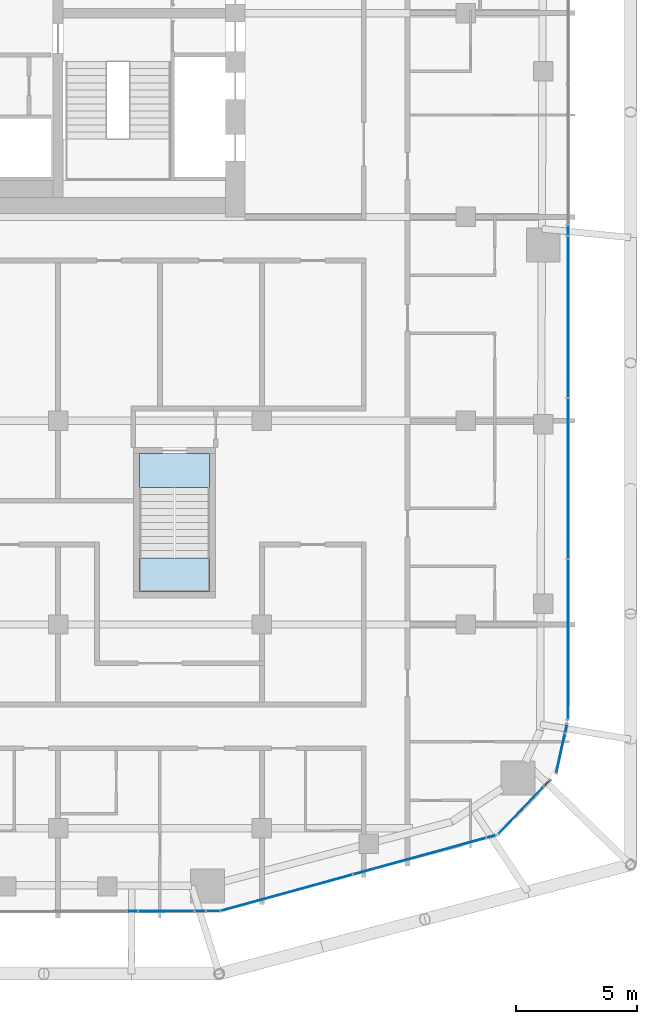
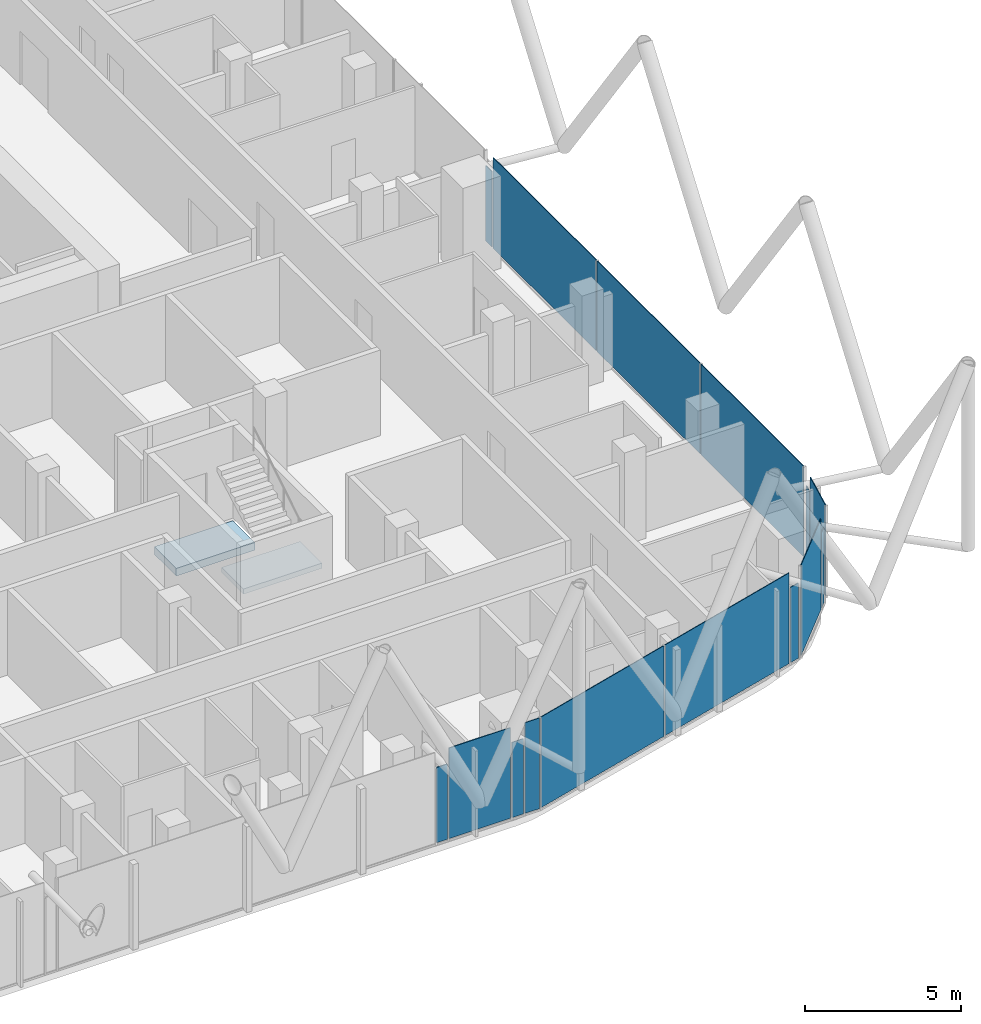
# One storey, part 18 of 31: 15 plates, 2 slabs, 13 elements without a shape of their own.
"""IFC4 building model written with IfcOpenShell, lengths in metres."""

from ifc_helpers import new_model, si_unit, direction, frame, origin, origin_2d, place, context, subcontext, project, spatial, polyline, rectangle, outline, extrude, material, layer, layer_set, type_object, element, aggregate, save


model = new_model("IFC4")

# Units and contexts
model_context = context("Model", 3, precision=1e-05, world=origin(), true_north=direction((0.0, 1.0)))
body_context = subcontext(model_context, "Body", "Model", "MODEL_VIEW")
ifc_project = project(units=[si_unit("LENGTHUNIT", "METRE"), si_unit("AREAUNIT", "SQUARE_METRE"), si_unit("VOLUMEUNIT", "CUBIC_METRE"), si_unit("PLANEANGLEUNIT", "RADIAN"), si_unit("MASSUNIT", "GRAM", prefix="KILO")], contexts=[model_context])

# Site, building, storey
site_placement = place(None, origin())
site = spatial("IfcSite", under=ifc_project, at=site_placement, CompositionType="ELEMENT")
building_placement = place(site_placement, origin())
building = spatial("IfcBuilding", under=site, at=building_placement, Name="Marenta Gate Hotel Tower", CompositionType="ELEMENT")
storey_placement = place(building_placement, frame((0.0, 0.0, 234.5)))
storey = spatial("IfcBuildingStorey", under=building, at=storey_placement, Name="L55", CompositionType="ELEMENT", Elevation=234.5)

# Curtain wall, plate
ifc_material_1 = material(Name="Tinted insulated glass in bronze anodised frame", Category="glass")
ifc_layer_1 = layer(ifc_material_1, 0.1201171875)
ifc_layer_set_1 = layer_set([ifc_layer_1], Name="Tinted insulated glass in bronze anodised frame")
curtain_wall_type = type_object("IfcCurtainWallType", Name="Tower unitised curtain wall CW1", PredefinedType="NOTDEFINED", material=ifc_layer_set_1)
curtain_wall_1_placement = place(storey_placement, origin())
curtain_wall_1 = element("IfcCurtainWall", 1, at=curtain_wall_1_placement, inside=storey, type_object=curtain_wall_type, Name="CW1 run G22", PredefinedType="NOTDEFINED")
ifc_material_2 = material(Name="Tinted insulated glass", Category="glass")
ifc_layer_2 = layer(ifc_material_2, 0.028076171875)
ifc_layer_set_2 = layer_set([ifc_layer_2], Name="Tinted insulated glass")
plate_type = type_object("IfcPlateType", Name="Glass panel CW1 28 mm tinted insulated unit", PredefinedType="CURTAIN_PANEL", material=ifc_layer_set_2)
plate_1_placement = place(storey_placement, frame((7.265869140625, -28.618408203125, 0.06005859375), z_axis=(0.0, 0.0, 1.0), x_axis=(0.999998441306, 0.001765611905, 0.0)))
plate_1 = element("IfcPlate", 2, at=plate_1_placement, type_object=plate_type, Name="CW1 panel 1.1", PredefinedType="CURTAIN_PANEL", context=body_context, shape_type="SweptSolid", body=[
    extrude(rectangle(XDim=0.39306640625, YDim=0.028076171875, at=origin_2d()), origin(), (0.0, 0.0, 1.0), 2.9404296875),
])
aggregate(curtain_wall_1, [plate_1])

curtain_wall_2_placement = place(storey_placement, origin())
curtain_wall_2 = element("IfcCurtainWall", 3, at=curtain_wall_2_placement, inside=storey, type_object=curtain_wall_type, Name="CW1 run G23", PredefinedType="NOTDEFINED")
plate_2_placement = place(storey_placement, frame((8.65869140625, -28.6162109375, 0.06005859375), z_axis=(0.0, 0.0, 1.0), x_axis=(0.999998672819, 0.001629220957, 0.0)))
plate_2 = element("IfcPlate", 4, at=plate_2_placement, type_object=plate_type, Name="CW1 panel 1.1", PredefinedType="CURTAIN_PANEL", context=body_context, shape_type="SweptSolid", body=[
    extrude(rectangle(XDim=2.2724609375, YDim=0.028076171875, at=origin_2d()), origin(), (0.0, 0.0, 1.0), 3.5400390625),
])
aggregate(curtain_wall_2, [plate_2])

curtain_wall_3_placement = place(storey_placement, origin())
curtain_wall_3 = element("IfcCurtainWall", 5, at=curtain_wall_3_placement, inside=storey, type_object=curtain_wall_type, Name="CW1 run G24", PredefinedType="NOTDEFINED")
plate_3_placement = place(storey_placement, frame((10.06201171875, -28.614013671875, 0.06005859375), z_axis=(0.0, 0.0, 1.0), x_axis=(0.999998577531, 0.001686693784, 0.0)))
plate_3 = element("IfcPlate", 6, at=plate_3_placement, type_object=plate_type, Name="CW1 panel 1.1", PredefinedType="CURTAIN_PANEL", context=body_context, shape_type="SweptSolid", body=[
    extrude(rectangle(XDim=0.414306640625, YDim=0.028076171875, at=origin_2d()), origin(), (0.0, 0.0, 1.0), 2.9404296875),
])
aggregate(curtain_wall_3, [plate_3])

curtain_wall_4_placement = place(storey_placement, origin())
curtain_wall_4 = element("IfcCurtainWall", 7, at=curtain_wall_4_placement, inside=storey, type_object=curtain_wall_type, Name="CW1 run G25", PredefinedType="NOTDEFINED")
plate_4_placement = place(storey_placement, frame((10.601318359375, -28.613037109375, 0.06005859375), z_axis=(0.0, 0.0, 1.0), x_axis=(0.999998631715, 0.001654257461, 0.0)))
plate_4 = element("IfcPlate", 8, at=plate_4_placement, type_object=plate_type, Name="CW1 panel 1.1", PredefinedType="CURTAIN_PANEL", context=body_context, shape_type="SweptSolid", body=[
    extrude(rectangle(XDim=0.54443359375, YDim=0.028076171875, at=origin_2d()), origin(), (0.0, 0.0, 1.0), 3.5400390625),
])
aggregate(curtain_wall_4, [plate_4])

# Curtain wall, plates
curtain_wall_5_placement = place(storey_placement, origin())
curtain_wall_5 = element("IfcCurtainWall", 9, at=curtain_wall_5_placement, inside=storey, type_object=curtain_wall_type, Name="CW1 run G26", PredefinedType="NOTDEFINED")
plate_5_placement = place(storey_placement, frame((13.624755859375, -27.85546875, 0.06005859375), z_axis=(0.0, 0.0, 1.0), x_axis=(0.964167605329, 0.265293853742, 0.0)))
plate_5 = element("IfcPlate", 10, at=plate_5_placement, type_object=plate_type, Name="CW1 panel 1.1", PredefinedType="CURTAIN_PANEL", context=body_context, shape_type="SweptSolid", body=[
    extrude(rectangle(XDim=5.58642578125, YDim=0.028076171875, at=origin_2d()), origin(), (0.0, 0.0, 1.0), 3.5400390625),
])
plate_6_placement = place(storey_placement, frame((19.09765625, -26.349609375, 0.06005859375), z_axis=(0.0, 0.0, 1.0), x_axis=(0.964167605329, 0.265293853742, 0.0)))
plate_6 = element("IfcPlate", 11, at=plate_6_placement, type_object=plate_type, Name="CW1 panel 2.1", PredefinedType="CURTAIN_PANEL", context=body_context, shape_type="SweptSolid", body=[
    extrude(rectangle(XDim=5.646240234375, YDim=0.028076171875, at=origin_2d()), origin(), (0.0, 0.0, 1.0), 3.5400390625),
])
aggregate(curtain_wall_5, [plate_5, plate_6])

# Curtain wall, plate
curtain_wall_6_placement = place(storey_placement, origin())
curtain_wall_6 = element("IfcCurtainWall", 12, at=curtain_wall_6_placement, inside=storey, type_object=curtain_wall_type, Name="CW1 run G27", PredefinedType="NOTDEFINED")
plate_7_placement = place(storey_placement, frame((22.04931640625, -25.53759765625, 0.06005859375), z_axis=(0.0, 0.0, 1.0), x_axis=(0.964170506749, 0.265283308776, 0.0)))
plate_7 = element("IfcPlate", 13, at=plate_7_placement, type_object=plate_type, Name="CW1 panel 1.1", PredefinedType="CURTAIN_PANEL", context=body_context, shape_type="SweptSolid", body=[
    extrude(rectangle(XDim=0.3564453125, YDim=0.028076171875, at=origin_2d()), origin(), (0.0, 0.0, 1.0), 2.9404296875),
])
aggregate(curtain_wall_6, [plate_7])

curtain_wall_7_placement = place(storey_placement, origin())
curtain_wall_7 = element("IfcCurtainWall", 14, at=curtain_wall_7_placement, inside=storey, type_object=curtain_wall_type, Name="CW1 run G28", PredefinedType="NOTDEFINED")
plate_8_placement = place(storey_placement, frame((23.284912109375, -24.461669921875, 0.06005859375), z_axis=(0.0, 0.0, 1.0), x_axis=(0.692544874237, 0.721374796599, 0.0)))
plate_8 = element("IfcPlate", 15, at=plate_8_placement, type_object=plate_type, Name="CW1 panel 1.1", PredefinedType="CURTAIN_PANEL", context=body_context, shape_type="SweptSolid", body=[
    extrude(rectangle(XDim=2.652587890625, YDim=0.028076171875, at=origin_2d()), origin(), (0.0, 0.0, 1.0), 3.5400390625),
])
aggregate(curtain_wall_7, [plate_8])

curtain_wall_8_placement = place(storey_placement, origin())
curtain_wall_8 = element("IfcCurtainWall", 16, at=curtain_wall_8_placement, inside=storey, type_object=curtain_wall_type, Name="CW1 run G29", PredefinedType="NOTDEFINED")
plate_9_placement = place(storey_placement, frame((24.360107421875, -23.341552734375, 0.06005859375), z_axis=(0.0, 0.0, 1.0), x_axis=(0.692499661278, 0.721418199888, 0.0)))
plate_9 = element("IfcPlate", 17, at=plate_9_placement, type_object=plate_type, Name="CW1 panel 1.1", PredefinedType="CURTAIN_PANEL", context=body_context, shape_type="SweptSolid", body=[
    extrude(rectangle(XDim=0.3330078125, YDim=0.028076171875, at=origin_2d()), origin(), (0.0, 0.0, 1.0), 2.9404296875),
])
aggregate(curtain_wall_8, [plate_9])

curtain_wall_9_placement = place(storey_placement, origin())
curtain_wall_9 = element("IfcCurtainWall", 18, at=curtain_wall_9_placement, inside=storey, type_object=curtain_wall_type, Name="CW1 run G30", PredefinedType="NOTDEFINED")
plate_10_placement = place(storey_placement, frame((24.910400390625, -22.110595703125, 0.06005859375), z_axis=(0.0, 0.0, 1.0), x_axis=(0.21681792113, 0.97621206153, 0.0)))
plate_10 = element("IfcPlate", 19, at=plate_10_placement, type_object=plate_type, Name="CW1 panel 1.1", PredefinedType="CURTAIN_PANEL", context=body_context, shape_type="SweptSolid", body=[
    extrude(rectangle(XDim=1.633544921875, YDim=0.028076171875, at=origin_2d()), origin(), (0.0, 0.0, 1.0), 3.5400390625),
])
aggregate(curtain_wall_9, [plate_10])

curtain_wall_10_placement = place(storey_placement, origin())
curtain_wall_10 = element("IfcCurtainWall", 20, at=curtain_wall_10_placement, inside=storey, type_object=curtain_wall_type, Name="CW1 run G31", PredefinedType="NOTDEFINED")
plate_11_placement = place(storey_placement, frame((25.13671875, -21.091796875, 0.06005859375), z_axis=(0.0, 0.0, 1.0), x_axis=(0.216883782439, 0.976197431319, 0.0)))
plate_11 = element("IfcPlate", 21, at=plate_11_placement, type_object=plate_type, Name="CW1 panel 1.1", PredefinedType="CURTAIN_PANEL", context=body_context, shape_type="SweptSolid", body=[
    extrude(rectangle(XDim=0.333740234375, YDim=0.028076171875, at=origin_2d()), origin(), (0.0, 0.0, 1.0), 2.9404296875),
])
aggregate(curtain_wall_10, [plate_11])

# Curtain wall, plates
curtain_wall_11_placement = place(storey_placement, origin())
curtain_wall_11 = element("IfcCurtainWall", 22, at=curtain_wall_11_placement, inside=storey, type_object=curtain_wall_type, Name="CW1 run G32", PredefinedType="NOTDEFINED")
plate_12_placement = place(storey_placement, frame((25.214111328125, -17.40869140625, 0.06005859375), z_axis=(0.0, 0.0, 1.0), x_axis=(0.0, 1.0, 0.0)))
plate_12 = element("IfcPlate", 23, at=plate_12_placement, type_object=plate_type, Name="CW1 panel 1.1", PredefinedType="CURTAIN_PANEL", context=body_context, shape_type="SweptSolid", body=[
    extrude(rectangle(XDim=6.55029296875, YDim=0.028076171875, at=origin_2d()), origin(), (0.0, 0.0, 1.0), 3.5400390625),
])
plate_13_placement = place(storey_placement, frame((25.214111328125, -10.783447265625, 0.06005859375), z_axis=(0.0, 0.0, 1.0), x_axis=(0.0, 1.0, 0.0)))
plate_13 = element("IfcPlate", 24, at=plate_13_placement, type_object=plate_type, Name="CW1 panel 2.1", PredefinedType="CURTAIN_PANEL", context=body_context, shape_type="SweptSolid", body=[
    extrude(rectangle(XDim=6.580322265625, YDim=0.028076171875, at=origin_2d()), origin(), (0.0, 0.0, 1.0), 3.5400390625),
])
plate_14_placement = place(storey_placement, frame((25.214111328125, -4.128173828125, 0.06005859375), z_axis=(0.0, 0.0, 1.0), x_axis=(0.0, 1.0, 0.0)))
plate_14 = element("IfcPlate", 25, at=plate_14_placement, type_object=plate_type, Name="CW1 panel 3.1", PredefinedType="CURTAIN_PANEL", context=body_context, shape_type="SweptSolid", body=[
    extrude(rectangle(XDim=6.6103515625, YDim=0.028076171875, at=origin_2d()), origin(), (0.0, 0.0, 1.0), 3.5400390625),
])
aggregate(curtain_wall_11, [plate_12, plate_13, plate_14])

# Curtain wall, plate
curtain_wall_12_placement = place(storey_placement, origin())
curtain_wall_12 = element("IfcCurtainWall", 26, at=curtain_wall_12_placement, inside=storey, type_object=curtain_wall_type, Name="CW1 run G33", PredefinedType="NOTDEFINED")
plate_15_placement = place(storey_placement, frame((25.214111328125, -0.5654296875, 0.06005859375), z_axis=(0.0, 0.0, 1.0), x_axis=(0.0, 1.0, 0.0)))
plate_15 = element("IfcPlate", 27, at=plate_15_placement, type_object=plate_type, Name="CW1 panel 1.1", PredefinedType="CURTAIN_PANEL", context=body_context, shape_type="SweptSolid", body=[
    extrude(rectangle(XDim=0.395263671875, YDim=0.028076171875, at=origin_2d()), origin(), (0.0, 0.0, 1.0), 2.9404296875),
])
aggregate(curtain_wall_12, [plate_15])

# Stair, slab
ifc_material_3 = material(Name="Concrete C40", Category="concrete")
stair_type = type_object("IfcStairType", Name="Remote exit stair 1400 wide", PredefinedType="HALF_TURN_STAIR", material=ifc_material_3)
stair_placement = place(storey_placement, origin())
stair = element("IfcStair", 28, at=stair_placement, inside=storey, type_object=stair_type, Name="Exit stair RS-Z3-2", PredefinedType="HALF_TURN_STAIR")
ifc_material_4 = material(Name="Concrete C40", Category="concrete")
ifc_layer_3 = layer(ifc_material_4, 0.199951171875)
ifc_layer_set_3 = layer_set([ifc_layer_3], Name="Concrete C40")
slab_type_1 = type_object("IfcSlabType", Name="Remote stair landing 200", PredefinedType="LANDING", material=ifc_layer_set_3)
slab_1_placement = place(storey_placement, frame((0.0, 0.0, 1.60009765625)))
slab_1 = element("IfcSlab", 29, at=slab_1_placement, type_object=slab_type_1, Name="RL-200 RS-Z3-2 landing 1", PredefinedType="LANDING", context=body_context, shape_type="SweptSolid", body=[
    extrude(outline(polyline([(7.550048828125, -15.449951171875), (10.449951171875, -15.449951171875), (10.449951171875, -14.050048828125), (7.550048828125, -14.050048828125), (7.550048828125, -15.449951171875)])), origin(), (0.0, 0.0, 1.0), 0.199951171875),
])
aggregate(stair, [slab_1])

# Slab
ifc_material_5 = material(Name="Concrete C40", Category="concrete")
ifc_layer_4 = layer(ifc_material_5, 0.300048828125)
ifc_layer_set_4 = layer_set([ifc_layer_4], Name="Concrete C40")
slab_type_2 = type_object("IfcSlabType", Name="Stair floor landing slab 300", PredefinedType="FLOOR", material=ifc_layer_set_4)
slab_2_placement = place(storey_placement, frame((0.0, 0.0, -0.300048828125)))
element("IfcSlab", 30, at=slab_2_placement, inside=storey, type_object=slab_type_2, Name="L55-RS-Z3-2-CL", PredefinedType="FLOOR", context=body_context, shape_type="SweptSolid", body=[
    extrude(outline(polyline([(10.449951171875, -11.14990234375), (10.449951171875, -9.75), (7.550048828125, -9.75), (7.550048828125, -11.14990234375), (10.449951171875, -11.14990234375)])), origin(), (0.0, 0.0, 1.0), 0.300048828125),
])

save(model, "model.ifc")
